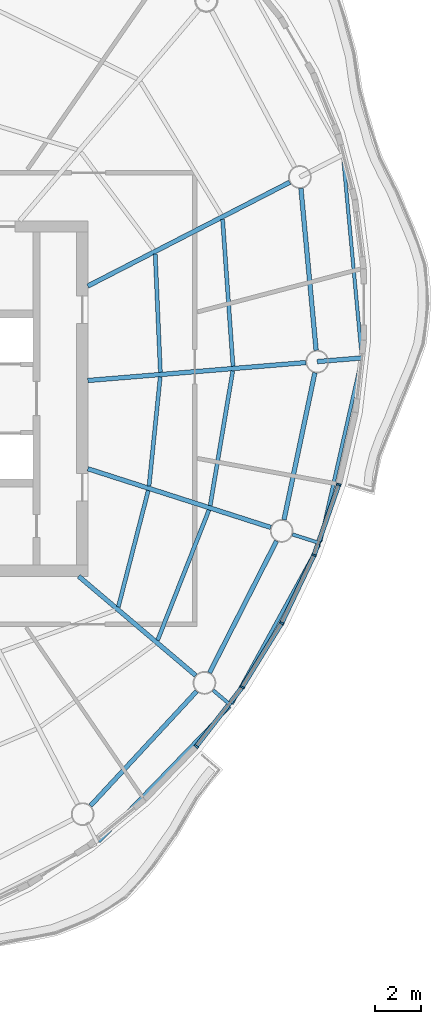
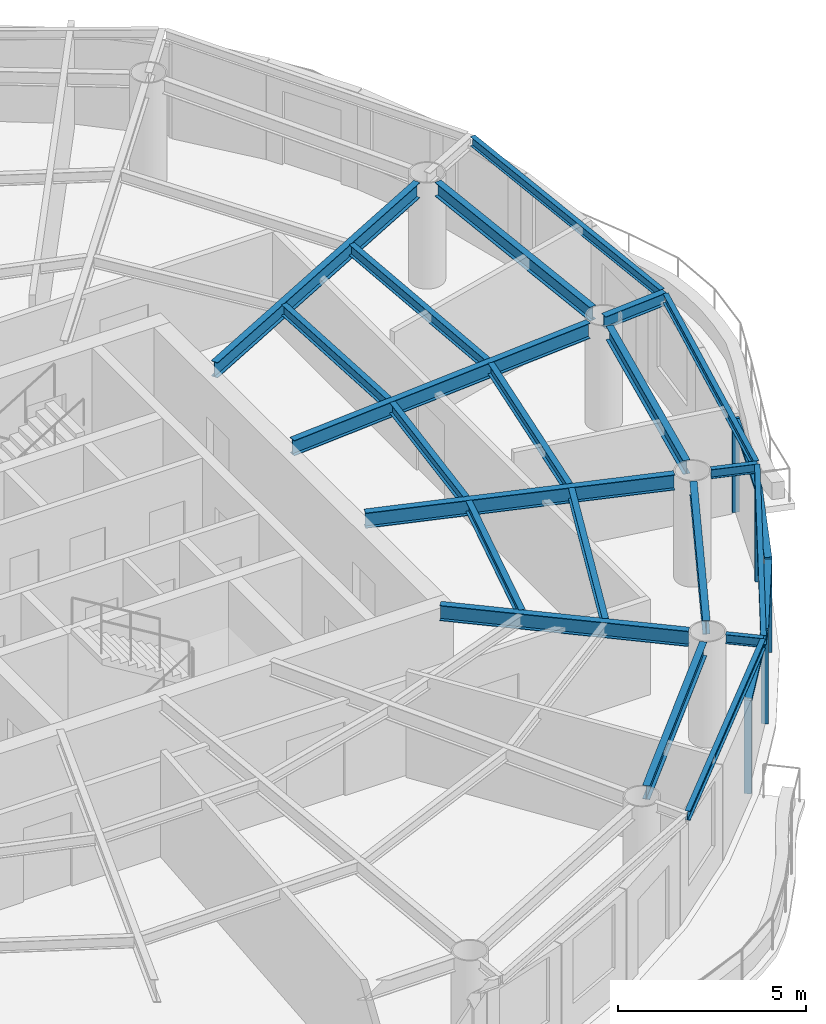
# One storey, part 4 of 13: 21 beams, 9 members, 4 elements without a shape of their own.
"""IFC4 building model written with IfcOpenShell, lengths in metres."""

import ifcopenshell
import ifcopenshell.guid

model = None  # the IFC model being written
_history = None  # IfcOwnerHistory: only IFC2X3 demands one
_inside = {}  # id of a spatial element -> (the spatial element, [elements in it])
_under = {}  # id of a project, library or spatial element -> (it, [spatial elements below it])
_declared = {}  # id of a project -> (the project, [libraries it declares])
_typed = {}  # id of a type object -> (the type object, [elements of that type])
_made_of = {}  # id of a material, layer set ... -> (it, [elements and type objects made of it])


def new_model(schema):
    """Start an empty IFC model of exactly this schema.

    Asked for "IFC4X3", IfcOpenShell would pick the latest addendum, in which some entities
    have other attributes; the version numbers below select the first issue.
    IFC2X3 requires an IfcOwnerHistory on every rooted entity: one is made here for all.
    """
    global model, _history
    if schema == "IFC4X3":
        model = ifcopenshell.file(schema_version=(4, 3, 0, 0))
    else:
        model = ifcopenshell.file(schema=schema)
    _inside.clear()
    _under.clear()
    _declared.clear()
    _typed.clear()
    _made_of.clear()
    _history = None
    if model.schema == "IFC2X3":
        org = make("IfcOrganization", Name="unknown")
        user = make(
            "IfcPersonAndOrganization",
            ThePerson=make("IfcPerson", FamilyName="unknown"),
            TheOrganization=org,
        )
        app = make(
            "IfcApplication",
            ApplicationDeveloper=org,
            Version="unknown",
            ApplicationFullName="unknown",
            ApplicationIdentifier="unknown",
        )
        _history = make(
            "IfcOwnerHistory",
            OwningUser=user,
            OwningApplication=app,
            ChangeAction="ADDED",
            CreationDate=0,
        )
    return model


def make(cls, **values):
    """One entity of the class cls with the attributes given. An attribute that is None is left unset."""
    return model.create_entity(
        cls, **{name: value for name, value in values.items() if value is not None}
    )


def rooted(cls, **values):
    """An entity with a GlobalId (a new one), such as an element, a storey or a relation."""
    return make(cls, GlobalId=ifcopenshell.guid.new(), OwnerHistory=_history, **values)


def si_unit(unit_type, name, prefix=None):
    """IfcSIUnit, for example si_unit("LENGTHUNIT", "METRE", prefix="MILLI")."""
    return make("IfcSIUnit", UnitType=unit_type, Prefix=prefix, Name=name)


def assignment(units):
    """IfcUnitAssignment: the units of a project."""
    return None if units is None else make("IfcUnitAssignment", Units=units)


def point(xyz):
    """IfcCartesianPoint."""
    return None if xyz is None else make("IfcCartesianPoint", Coordinates=xyz)


def direction(xyz):
    """IfcDirection."""
    return None if xyz is None else make("IfcDirection", DirectionRatios=xyz)


def frame(location, z_axis=None, x_axis=None):
    """IfcAxis2Placement3D, a coordinate frame: its origin and axes. An axis left out is left unset."""
    return make(
        "IfcAxis2Placement3D",
        Location=point(location),
        Axis=direction(z_axis),
        RefDirection=direction(x_axis),
    )


def frame_2d(location, x_axis=None):
    """IfcAxis2Placement2D, a coordinate frame in the plane: its origin and x axis."""
    return make(
        "IfcAxis2Placement2D", Location=point(location), RefDirection=direction(x_axis)
    )


def origin():
    """The frame at (0, 0, 0) with its axes left unset."""
    return frame((0.0, 0.0, 0.0))


def origin_2d():
    """The frame at (0, 0) in the plane with its x axis left unset."""
    return frame_2d((0.0, 0.0))


def place(relative_to, where):
    """IfcLocalPlacement: puts the frame where relative to a parent placement (None: the world)."""
    return make(
        "IfcLocalPlacement", PlacementRelTo=relative_to, RelativePlacement=where
    )


def context(
    kind, dimensions, precision=None, world=None, true_north=None, identifier=None
):
    """IfcGeometricRepresentationContext, for example the 3D "Model" context."""
    return make(
        "IfcGeometricRepresentationContext",
        ContextIdentifier=identifier,
        ContextType=kind,
        CoordinateSpaceDimension=dimensions,
        Precision=precision,
        WorldCoordinateSystem=world,
        TrueNorth=true_north,
    )


def subcontext(parent, identifier, kind, view, scale=None):
    """IfcGeometricRepresentationSubContext, for example "Body" below "Model"."""
    return make(
        "IfcGeometricRepresentationSubContext",
        ContextIdentifier=identifier,
        ContextType=kind,
        ParentContext=parent,
        TargetScale=scale,
        TargetView=view,
    )


def project(units=None, contexts=None):
    """IfcProject with its units and contexts."""
    return rooted(
        "IfcProject",
        Name="project",
        RepresentationContexts=contexts,
        UnitsInContext=assignment(units),
    )


def spatial(cls, under=None, at=None, **own):
    """A site, building, storey or space (cls), placed at a placement, below another one or the project."""
    s = rooted(cls, ObjectPlacement=at, **own)
    if under is not None:
        _under.setdefault(under.id(), (under, []))[1].append(s)
    return s


def profile(cls, at=None, kind="AREA", **sizes):
    """A parametric profile (cls). Its sizes go by their IFC names, for example OverallWidth=200.0."""
    return make(cls, ProfileType=kind, Position=at, **sizes)


def rectangle(**sizes):
    """IfcRectangleProfileDef."""
    return profile("IfcRectangleProfileDef", **sizes)


def i_section(**sizes):
    """IfcIShapeProfileDef."""
    return profile("IfcIShapeProfileDef", **sizes)


def extrude(swept, where, along, depth):
    """IfcExtrudedAreaSolid: the profile swept, set in the frame where, extruded along a direction by depth."""
    return make(
        "IfcExtrudedAreaSolid",
        SweptArea=swept,
        Position=where,
        ExtrudedDirection=direction(along),
        Depth=depth,
    )


def shape(context_of_items, identifier, shape_type, items):
    """IfcShapeRepresentation: the items that make up one representation, for example the "Body"."""
    return make(
        "IfcShapeRepresentation",
        ContextOfItems=context_of_items,
        RepresentationIdentifier=identifier,
        RepresentationType=shape_type,
        Items=items,
    )


def material(Name=None, Category=None):
    """IfcMaterial."""
    return make("IfcMaterial", Name=Name, Category=Category)


def material_profile(
    of_material, cross_section, Name=None, Category=None, Priority=None
):
    """IfcMaterialProfile: a cross section and its material."""
    return make(
        "IfcMaterialProfile",
        Name=Name,
        Material=of_material,
        Profile=cross_section,
        Priority=Priority,
        Category=Category,
    )


def profile_set(profiles, Name=None, composite=None):
    """IfcMaterialProfileSet."""
    return make(
        "IfcMaterialProfileSet",
        Name=Name,
        MaterialProfiles=profiles,
        CompositeProfile=composite,
    )


def made_of(thing, what):
    """Note that an element or type object is made of a material, layer set ...; save() writes the relation."""
    if what is not None:
        _made_of.setdefault(what.id(), (what, []))[1].append(thing)
    return thing


def type_object(cls, material=None, **own):
    """A type object (cls), such as IfcWallType, which elements share."""
    return made_of(rooted(cls, **own), material)


def element(
    cls,
    number,
    at=None,
    inside=None,
    cuts=None,
    type_object=None,
    material=None,
    context=None,
    identifier="Body",
    shape_type=None,
    held_by="IfcProductDefinitionShape",
    body=None,
    shapes=None,
    **own,
):
    """One element of the class cls, such as IfcWall. Its Tag is "e" and its number.

    at: its placement. inside: the storey or other place that contains it. cuts: it is an
    opening in that element (IfcRelVoidsElement). A single representation is given by context,
    identifier, shape_type and body (its items); several are given by shapes. held_by: the class
    of the entity that holds the representations. save() writes the other relations.
    """
    e = rooted(cls, Tag="e%d" % number, ObjectPlacement=at, **own)
    if body is not None:
        shapes = [shape(context, identifier, shape_type, body)]
    if shapes is not None:
        e.Representation = make(held_by, Representations=shapes)
    if inside is not None:
        _inside.setdefault(inside.id(), (inside, []))[1].append(e)
    if cuts is not None:
        rooted(
            "IfcRelVoidsElement", RelatingBuildingElement=cuts, RelatedOpeningElement=e
        )
    if type_object is not None:
        _typed.setdefault(type_object.id(), (type_object, []))[1].append(e)
    return made_of(e, material)


def aggregate(whole, parts):
    """IfcRelAggregates: a whole, such as a stair, and the parts it consists of."""
    return rooted("IfcRelAggregates", RelatingObject=whole, RelatedObjects=parts)


def save(model, path):
    """Write the relations noted so far, then the file.

    IfcRelAggregates (storeys below a building ...), IfcRelContainedInSpatialStructure (elements
    in a storey), IfcRelDefinesByType, IfcRelAssociatesMaterial and IfcRelDeclares: one each for
    every whole, place, type object, material and project.
    """
    for whole, parts in _under.values():
        aggregate(whole, parts)
    for where, things in _inside.values():
        rooted(
            "IfcRelContainedInSpatialStructure",
            RelatedElements=things,
            RelatingStructure=where,
        )
    for kind, things in _typed.values():
        rooted("IfcRelDefinesByType", RelatedObjects=things, RelatingType=kind)
    for what, things in _made_of.values():
        rooted("IfcRelAssociatesMaterial", RelatedObjects=things, RelatingMaterial=what)
    for by, libraries in _declared.values():
        rooted("IfcRelDeclares", RelatingContext=by, RelatedDefinitions=libraries)
    model.write(path)


model = new_model("IFC4")

# Units and contexts
model_context = context("Model", 3, precision=1e-05, world=origin(), true_north=direction((0.0, 1.0)))
body_context = subcontext(model_context, "Body", "Model", "MODEL_VIEW")
ifc_project = project(units=[si_unit("LENGTHUNIT", "METRE"), si_unit("AREAUNIT", "SQUARE_METRE"), si_unit("VOLUMEUNIT", "CUBIC_METRE"), si_unit("PLANEANGLEUNIT", "RADIAN"), si_unit("MASSUNIT", "GRAM", prefix="KILO")], contexts=[model_context])

# Site, building, storey
site_placement = place(None, origin())
site = spatial("IfcSite", under=ifc_project, at=site_placement, CompositionType="ELEMENT")
building_placement = place(site_placement, origin())
building = spatial("IfcBuilding", under=site, at=building_placement, Name="Vermilion Reach Broadcast Tower", CompositionType="ELEMENT")
storey_placement = place(building_placement, frame((0.0, 0.0, 279.300048828125)))
storey = spatial("IfcBuildingStorey", under=building, at=storey_placement, Name="L69", CompositionType="ELEMENT", Elevation=279.300048828125)

# Beams
ifc_material_1 = material(Name="Steel S355J2", Category="steel")
ifc_material_profile_1 = material_profile(ifc_material_1, i_section(OverallWidth=0.14990234375, OverallDepth=0.300048828125, WebThickness=0.006591796875, FlangeThickness=0.009033203125, at=origin_2d()), Name="S355J2 HN 300x150x6.5x9")
ifc_profile_set_1 = profile_set([ifc_material_profile_1], Name="Steel S355J2")
beam_type_1 = type_object("IfcBeamType", Name="EB5 HN 300x150x6.5x9", PredefinedType="BEAM", material=ifc_profile_set_1)
beam_1_placement = place(storey_placement, frame((4.081787109375, -19.444580078125, 3.300048828125), z_axis=(0.695900090225, 0.718138610872, 0.0), x_axis=(-0.718138610872, 0.695900090225, 0.0)))
element("IfcBeam", 1, at=beam_1_placement, inside=storey, type_object=beam_type_1, Name="Edge beam EB5-11", PredefinedType="BEAM", context=body_context, shape_type="SweptSolid", body=[
    extrude(i_section(OverallWidth=0.14990234375, OverallDepth=0.300048828125, WebThickness=0.006591796875, FlangeThickness=0.009033203125, at=origin_2d()), origin(), (0.0, 0.0, 1.0), 8.255615234375),
])
beam_2_placement = place(storey_placement, frame((9.916259765625, -13.394775390625, 3.300048828125), z_axis=(0.481560900409, 0.87641263067, 0.0), x_axis=(-0.87641263067, 0.481560900409, 0.0)))
element("IfcBeam", 2, at=beam_2_placement, inside=storey, type_object=beam_type_1, Name="Edge beam EB5-12", PredefinedType="BEAM", context=body_context, shape_type="SweptSolid", body=[
    extrude(i_section(OverallWidth=0.14990234375, OverallDepth=0.300048828125, WebThickness=0.006591796875, FlangeThickness=0.009033203125, at=origin_2d()), origin(), (0.0, 0.0, 1.0), 7.962646484375),
])
beam_3_placement = place(storey_placement, frame((13.80419921875, -6.27587890625, 3.300048828125), z_axis=(0.220627416906, 0.975358161349, 0.0), x_axis=(-0.975358161349, 0.220627416906, 0.0)))
element("IfcBeam", 3, at=beam_3_placement, inside=storey, type_object=beam_type_1, Name="Edge beam EB5-13", PredefinedType="BEAM", context=body_context, shape_type="SweptSolid", body=[
    extrude(i_section(OverallWidth=0.14990234375, OverallDepth=0.300048828125, WebThickness=0.006591796875, FlangeThickness=0.009033203125, at=origin_2d()), origin(), (0.0, 0.0, 1.0), 8.156494140625),
])
beam_4_placement = place(storey_placement, frame((15.61767578125, 1.88134765625, 3.300048828125), z_axis=(-0.092806887756, 0.995684127414, 0.0), x_axis=(-0.995684127414, -0.092806887756, 0.0)))
element("IfcBeam", 4, at=beam_4_placement, inside=storey, type_object=beam_type_1, Name="Edge beam EB5-14", PredefinedType="BEAM", context=body_context, shape_type="SweptSolid", body=[
    extrude(i_section(OverallWidth=0.14990234375, OverallDepth=0.300048828125, WebThickness=0.006591796875, FlangeThickness=0.009033203125, at=origin_2d()), origin(), (0.0, 0.0, 1.0), 8.74169921875),
])
ifc_material_2 = material(Name="Steel S355J2", Category="steel")
ifc_material_profile_2 = material_profile(ifc_material_2, i_section(OverallWidth=0.199951171875, OverallDepth=0.5, WebThickness=0.010009765625, FlangeThickness=0.01611328125, at=origin_2d()), Name="S355J2 HN 500x200x10x16")
ifc_profile_set_2 = profile_set([ifc_material_profile_2], Name="Steel S355J2")
beam_type_2 = type_object("IfcBeamType", Name="G5 HN 500x200x10x16", PredefinedType="BEAM", material=ifc_profile_set_2)
beam_5_placement = place(storey_placement, frame((3.20068359375, -7.800048828125, 3.199951171875), z_axis=(0.762793125612, -0.646642596431, 0.0), x_axis=(0.646642596431, 0.762793125612, 0.0)))
element("IfcBeam", 5, at=beam_5_placement, inside=storey, type_object=beam_type_2, Name="Girder G5-12", PredefinedType="BEAM", context=body_context, shape_type="SweptSolid", body=[
    extrude(i_section(OverallWidth=0.199951171875, OverallDepth=0.5, WebThickness=0.010009765625, FlangeThickness=0.01611328125, at=origin_2d()), origin(), (0.0, 0.0, 1.0), 6.732421875),
])
beam_6_placement = place(storey_placement, frame((3.60009765625, -3.080322265625, 3.199951171875), z_axis=(0.952178453449, -0.305542456604, 0.0), x_axis=(0.305542456604, 0.952178453449, 0.0)))
element("IfcBeam", 6, at=beam_6_placement, inside=storey, type_object=beam_type_2, Name="Girder G5-13", PredefinedType="BEAM", context=body_context, shape_type="SweptSolid", body=[
    extrude(i_section(OverallWidth=0.199951171875, OverallDepth=0.5, WebThickness=0.010009765625, FlangeThickness=0.01611328125, at=origin_2d()), origin(), (0.0, 0.0, 1.0), 8.43310546875),
])
beam_7_placement = place(storey_placement, frame((3.60009765625, 0.791015625, 3.199951171875), z_axis=(0.996624410075, 0.082096195058, 0.0), x_axis=(-0.082096195058, 0.996624410075, 0.0)))
element("IfcBeam", 7, at=beam_7_placement, inside=storey, type_object=beam_type_2, Name="Girder G5-14", PredefinedType="BEAM", context=body_context, shape_type="SweptSolid", body=[
    extrude(i_section(OverallWidth=0.199951171875, OverallDepth=0.5, WebThickness=0.010009765625, FlangeThickness=0.01611328125, at=origin_2d()), origin(), (0.0, 0.0, 1.0), 9.599609375),
])
beam_8_placement = place(storey_placement, frame((3.60009765625, 4.935791015625, 3.199951171875), z_axis=(0.889332502449, 0.457261085254, 0.0), x_axis=(-0.457261085254, 0.889332502449, 0.0)))
element("IfcBeam", 8, at=beam_8_placement, inside=storey, type_object=beam_type_2, Name="Girder G5-15", PredefinedType="BEAM", context=body_context, shape_type="SweptSolid", body=[
    extrude(i_section(OverallWidth=0.199951171875, OverallDepth=0.5, WebThickness=0.010009765625, FlangeThickness=0.01611328125, at=origin_2d()), origin(), (0.0, 0.0, 1.0), 9.96337890625),
])
ifc_material_3 = material(Name="Steel S355J2", Category="steel")
ifc_material_profile_3 = material_profile(ifc_material_3, i_section(OverallWidth=0.199951171875, OverallDepth=0.39990234375, WebThickness=0.008056640625, FlangeThickness=0.012939453125, at=origin_2d()), Name="S355J2 HN 400x200x8x13")
ifc_profile_set_3 = profile_set([ifc_material_profile_3], Name="Steel S355J2")
beam_type_3 = type_object("IfcBeamType", Name="GC5 HN 400x200x8x13", PredefinedType="BEAM", material=ifc_profile_set_3)
beam_9_placement = place(storey_placement, frame((13.665771484375, 1.620361328125, 3.25), z_axis=(0.996631637871, 0.082008404411, 0.0), x_axis=(-0.082008404411, 0.996631637871, 0.0)))
element("IfcBeam", 9, at=beam_9_placement, inside=storey, type_object=beam_type_3, Name="Cantilever girder GC5-14", PredefinedType="BEAM", context=body_context, shape_type="SweptSolid", body=[
    extrude(i_section(OverallWidth=0.199951171875, OverallDepth=0.39990234375, WebThickness=0.008056640625, FlangeThickness=0.012939453125, at=origin_2d()), origin(), (0.0, 0.0, 1.0), 1.9677734375),
])
ifc_material_4 = material(Name="Steel S355J2", Category="steel")
ifc_material_profile_4 = material_profile(ifc_material_4, i_section(OverallWidth=0.14990234375, OverallDepth=0.300048828125, WebThickness=0.006591796875, FlangeThickness=0.009033203125, at=origin_2d()), Name="S355J2 HN 300x150x6.5x9")
ifc_profile_set_4 = profile_set([ifc_material_profile_4], Name="Steel S355J2")
beam_type_4 = type_object("IfcBeamType", Name="GS5 HN 300x150x6.5x9", PredefinedType="BEAM", material=ifc_profile_set_4)
beam_10_placement = place(storey_placement, frame((9.098876953125, -12.80029296875, 3.300048828125), z_axis=(0.762815807561, -0.646615839378, 0.0), x_axis=(0.646615839378, 0.762815807561, 0.0)))
element("IfcBeam", 10, at=beam_10_placement, inside=storey, type_object=beam_type_4, Name="Cantilever stub GS5-12", PredefinedType="BEAM", context=body_context, shape_type="SweptSolid", body=[
    extrude(i_section(OverallWidth=0.14990234375, OverallDepth=0.300048828125, WebThickness=0.006591796875, FlangeThickness=0.009033203125, at=origin_2d()), origin(), (0.0, 0.0, 1.0), 1.023193359375),
])
beam_11_placement = place(storey_placement, frame((12.58203125, -5.96240234375, 3.300048828125), z_axis=(0.952152869261, -0.30562217452, 0.0), x_axis=(0.30562217452, 0.952152869261, 0.0)))
element("IfcBeam", 11, at=beam_11_placement, inside=storey, type_object=beam_type_4, Name="Cantilever stub GS5-13", PredefinedType="BEAM", context=body_context, shape_type="SweptSolid", body=[
    extrude(i_section(OverallWidth=0.14990234375, OverallDepth=0.300048828125, WebThickness=0.006591796875, FlangeThickness=0.009033203125, at=origin_2d()), origin(), (0.0, 0.0, 1.0), 1.26611328125),
])
ifc_material_5 = material(Name="Steel S355J2", Category="steel")
ifc_material_profile_5 = material_profile(ifc_material_5, i_section(OverallWidth=0.199951171875, OverallDepth=0.449951171875, WebThickness=0.009033203125, FlangeThickness=0.013916015625, at=origin_2d()), Name="S355J2 HN 450x200x9x14")
ifc_profile_set_5 = profile_set([ifc_material_profile_5], Name="Steel S355J2")
beam_type_5 = type_object("IfcBeamType", Name="RB5 HN 450x200x9x14", PredefinedType="BEAM", material=ifc_profile_set_5)
beam_12_placement = place(storey_placement, frame((3.716796875, -17.87109375, 3.224853515625), z_axis=(0.679837550075, 0.733362738014, 0.0), x_axis=(-0.733362738014, 0.679837550075, 0.0)))
element("IfcBeam", 12, at=beam_12_placement, inside=storey, type_object=beam_type_5, Name="Ring beam RB5-11", PredefinedType="BEAM", context=body_context, shape_type="SweptSolid", body=[
    extrude(i_section(OverallWidth=0.199951171875, OverallDepth=0.449951171875, WebThickness=0.009033203125, FlangeThickness=0.013916015625, at=origin_2d()), origin(), (0.0, 0.0, 1.0), 6.85546875),
])
beam_13_placement = place(storey_placement, frame((8.944091796875, -12.03125, 3.224853515625), z_axis=(0.453052302855, 0.891483937532, 0.0), x_axis=(-0.891483937532, 0.453052302855, 0.0)))
element("IfcBeam", 13, at=beam_13_placement, inside=storey, type_object=beam_type_5, Name="Ring beam RB5-12", PredefinedType="BEAM", context=body_context, shape_type="SweptSolid", body=[
    extrude(i_section(OverallWidth=0.199951171875, OverallDepth=0.449951171875, WebThickness=0.009033203125, FlangeThickness=0.013916015625, at=origin_2d()), origin(), (0.0, 0.0, 1.0), 6.47900390625),
])
beam_14_placement = place(storey_placement, frame((12.208740234375, -5.3203125, 3.224853515625), z_axis=(0.205444869285, 0.978668690459, 0.0), x_axis=(-0.978668690459, 0.205444869285, 0.0)))
element("IfcBeam", 14, at=beam_14_placement, inside=storey, type_object=beam_type_5, Name="Ring beam RB5-13", PredefinedType="BEAM", context=body_context, shape_type="SweptSolid", body=[
    extrude(i_section(OverallWidth=0.199951171875, OverallDepth=0.449951171875, WebThickness=0.009033203125, FlangeThickness=0.013916015625, at=origin_2d()), origin(), (0.0, 0.0, 1.0), 6.591796875),
])
beam_15_placement = place(storey_placement, frame((13.618896484375, 2.1181640625, 3.224853515625), z_axis=(-0.093441399272, 0.995624781181, 0.0), x_axis=(-0.995624781181, -0.093441399272, 0.0)))
element("IfcBeam", 15, at=beam_15_placement, inside=storey, type_object=beam_type_5, Name="Ring beam RB5-14", PredefinedType="BEAM", context=body_context, shape_type="SweptSolid", body=[
    extrude(i_section(OverallWidth=0.199951171875, OverallDepth=0.449951171875, WebThickness=0.009033203125, FlangeThickness=0.013916015625, at=origin_2d()), origin(), (0.0, 0.0, 1.0), 7.135498046875),
])
ifc_material_6 = material(Name="Steel S355J2", Category="steel")
ifc_material_profile_6 = material_profile(ifc_material_6, i_section(OverallWidth=0.175048828125, OverallDepth=0.35009765625, WebThickness=0.007080078125, FlangeThickness=0.010986328125, at=origin_2d()), Name="S355J2 HN 350x175x7x11")
ifc_profile_set_6 = profile_set([ifc_material_profile_6], Name="Steel S355J2")
beam_type_6 = type_object("IfcBeamType", Name="SB5 HN 350x175x7x11", PredefinedType="BEAM", material=ifc_profile_set_6)
beam_16_placement = place(storey_placement, frame((4.940185546875, -9.1435546875, 3.27490234375), z_axis=(0.248729575729, 0.968572969971, 0.0), x_axis=(-0.968572969971, 0.248729575729, 0.0)))
element("IfcBeam", 16, at=beam_16_placement, inside=storey, type_object=beam_type_6, Name="Secondary beam SB5-12-1", PredefinedType="BEAM", context=body_context, shape_type="SweptSolid", body=[
    extrude(i_section(OverallWidth=0.175048828125, OverallDepth=0.35009765625, WebThickness=0.007080078125, FlangeThickness=0.010986328125, at=origin_2d()), origin(), (0.0, 0.0, 1.0), 5.27294921875),
])
beam_17_placement = place(storey_placement, frame((6.6630859375, -10.604248046875, 3.27490234375), z_axis=(0.366931189603, 0.930248086317, 0.0), x_axis=(-0.930248086317, 0.366931189603, 0.0)))
element("IfcBeam", 17, at=beam_17_placement, inside=storey, type_object=beam_type_6, Name="Secondary beam SB5-12-2", PredefinedType="BEAM", context=body_context, shape_type="SweptSolid", body=[
    extrude(i_section(OverallWidth=0.175048828125, OverallDepth=0.35009765625, WebThickness=0.007080078125, FlangeThickness=0.010986328125, at=origin_2d()), origin(), (0.0, 0.0, 1.0), 6.141357421875),
])
beam_18_placement = place(storey_placement, frame((6.287109375, -3.837646484375, 3.27490234375), z_axis=(0.102113775264, 0.994772726255, 0.0), x_axis=(-0.994772726255, 0.102113775264, 0.0)))
element("IfcBeam", 18, at=beam_18_placement, inside=storey, type_object=beam_type_6, Name="Secondary beam SB5-13-1", PredefinedType="BEAM", context=body_context, shape_type="SweptSolid", body=[
    extrude(i_section(OverallWidth=0.175048828125, OverallDepth=0.35009765625, WebThickness=0.007080078125, FlangeThickness=0.010986328125, at=origin_2d()), origin(), (0.0, 0.0, 1.0), 4.815185546875),
])
beam_19_placement = place(storey_placement, frame((8.969970703125, -4.698486328125, 3.27490234375), z_axis=(0.16532337011, 0.986239414795, 0.0), x_axis=(-0.986239414795, 0.16532337011, 0.0)))
element("IfcBeam", 19, at=beam_19_placement, inside=storey, type_object=beam_type_6, Name="Secondary beam SB5-13-2", PredefinedType="BEAM", context=body_context, shape_type="SweptSolid", body=[
    extrude(i_section(OverallWidth=0.175048828125, OverallDepth=0.35009765625, WebThickness=0.007080078125, FlangeThickness=0.010986328125, at=origin_2d()), origin(), (0.0, 0.0, 1.0), 5.99560546875),
])
beam_20_placement = place(storey_placement, frame((6.78466796875, 1.153564453125, 3.27490234375), z_axis=(-0.043557530017, 0.999050920413, 0.0), x_axis=(-0.999050920413, -0.043557530017, 0.0)))
element("IfcBeam", 20, at=beam_20_placement, inside=storey, type_object=beam_type_6, Name="Secondary beam SB5-14-1", PredefinedType="BEAM", context=body_context, shape_type="SweptSolid", body=[
    extrude(i_section(OverallWidth=0.175048828125, OverallDepth=0.35009765625, WebThickness=0.007080078125, FlangeThickness=0.010986328125, at=origin_2d()), origin(), (0.0, 0.0, 1.0), 5.19580078125),
])
beam_21_placement = place(storey_placement, frame((9.97119140625, 1.416259765625, 3.27490234375), z_axis=(-0.070586780458, 0.997505642302, 0.0), x_axis=(-0.997505642302, -0.070586780458, 0.0)))
element("IfcBeam", 21, at=beam_21_placement, inside=storey, type_object=beam_type_6, Name="Secondary beam SB5-14-2", PredefinedType="BEAM", context=body_context, shape_type="SweptSolid", body=[
    extrude(i_section(OverallWidth=0.175048828125, OverallDepth=0.35009765625, WebThickness=0.007080078125, FlangeThickness=0.010986328125, at=origin_2d()), origin(), (0.0, 0.0, 1.0), 6.46435546875),
])

# Curtain wall, member
ifc_material_7 = material(Name="Low-e laminated clear glass in aluminium frame", Category="aluminium")
curtain_wall_type = type_object("IfcCurtainWallType", Name="Slot curtain wall", PredefinedType="NOTDEFINED", material=ifc_material_7)
placement = place(storey_placement, origin())
curtain_wall_1 = element("IfcCurtainWall", 22, at=placement, inside=storey, type_object=curtain_wall_type, Name="Slot curtain wall L69 34", PredefinedType="NOTDEFINED")
ifc_material_8 = material(Name="Anodised aluminium", Category="aluminium")
ifc_material_profile_7 = material_profile(ifc_material_8, rectangle(XDim=0.199951171875, YDim=0.080078125, at=origin_2d()), Name="Slot mullion 80 x 200")
ifc_profile_set_7 = profile_set([ifc_material_profile_7], Name="Anodised aluminium")
member_type_1 = type_object("IfcMemberType", Name="Slot mullion 80 x 200", PredefinedType="MULLION", material=ifc_profile_set_7)
member_1_placement = place(storey_placement, frame((8.358154296875, -15.262451171875, 0.0), z_axis=(0.0, 0.0, 1.0), x_axis=(-0.755156185837, 0.65554491455, 0.0)))
member_1 = element("IfcMember", 23, at=member_1_placement, type_object=member_type_1, Name="Slot mullion L69 34", PredefinedType="MULLION", context=body_context, shape_type="SweptSolid", body=[
    extrude(rectangle(XDim=0.199951171875, YDim=0.080078125, at=origin_2d()), origin(), (0.0, 0.0, 1.0), 3.050048828125),
])

curtain_wall_2 = element("IfcCurtainWall", 24, at=placement, inside=storey, type_object=curtain_wall_type, Name="Slot curtain wall L69 35", PredefinedType="NOTDEFINED")
member_2_placement = place(storey_placement, frame((10.3720703125, -12.667724609375, 0.0), z_axis=(0.0, 0.0, 1.0), x_axis=(-0.821886411904, 0.569651407377, 0.0)))
member_2 = element("IfcMember", 25, at=member_2_placement, type_object=member_type_1, Name="Slot mullion L69 35", PredefinedType="MULLION", context=body_context, shape_type="SweptSolid", body=[
    extrude(rectangle(XDim=0.199951171875, YDim=0.080078125, at=origin_2d()), origin(), (0.0, 0.0, 1.0), 3.050048828125),
])

curtain_wall_3 = element("IfcCurtainWall", 26, at=placement, inside=storey, type_object=curtain_wall_type, Name="Slot curtain wall L69 36", PredefinedType="NOTDEFINED")
member_3_placement = place(storey_placement, frame((12.10498046875, -9.854736328125, 0.0), z_axis=(0.0, 0.0, 1.0), x_axis=(-0.878317007358, 0.478078690788, 0.0)))
member_3 = element("IfcMember", 27, at=member_3_placement, type_object=member_type_1, Name="Slot mullion L69 36", PredefinedType="MULLION", context=body_context, shape_type="SweptSolid", body=[
    extrude(rectangle(XDim=0.199951171875, YDim=0.080078125, at=origin_2d()), origin(), (0.0, 0.0, 1.0), 3.050048828125),
])

# Curtain wall, members
curtain_wall_4 = element("IfcCurtainWall", 28, at=placement, inside=storey, type_object=curtain_wall_type, Name="Slot curtain wall L69 37", PredefinedType="NOTDEFINED")
member_4_placement = place(storey_placement, frame((13.526611328125, -6.87255859375, 0.0), z_axis=(0.0, 0.0, 1.0), x_axis=(-0.92458540708, 0.380974835147, 0.0)))
member_4 = element("IfcMember", 29, at=member_4_placement, type_object=member_type_1, Name="Slot mullion L69 37", PredefinedType="MULLION", context=body_context, shape_type="SweptSolid", body=[
    extrude(rectangle(XDim=0.199951171875, YDim=0.080078125, at=origin_2d()), origin(), (0.0, 0.0, 1.0), 3.050048828125),
])
member_5_placement = place(storey_placement, frame((14.6123046875, -3.772216796875, 0.0), z_axis=(0.0, 0.0, 1.0), x_axis=(-0.960492983327, 0.278304202232, 0.0)))
member_5 = element("IfcMember", 30, at=member_5_placement, type_object=member_type_1, Name="Slot mullion L69 38", PredefinedType="MULLION", context=body_context, shape_type="SweptSolid", body=[
    extrude(rectangle(XDim=0.199951171875, YDim=0.080078125, at=origin_2d()), origin(), (0.0, 0.0, 1.0), 3.050048828125),
])

# Member
ifc_material_9 = material(Name="Anodised aluminium", Category="aluminium")
ifc_material_profile_8 = material_profile(ifc_material_9, rectangle(XDim=0.199951171875, YDim=0.10009765625, at=origin_2d()), Name="Slot transom 200 x 100")
ifc_profile_set_8 = profile_set([ifc_material_profile_8], Name="Anodised aluminium")
member_type_2 = type_object("IfcMemberType", Name="Slot transom 200 x 100", PredefinedType="USERDEFINED", material=ifc_profile_set_8)
member_6_placement = place(storey_placement, frame((8.382568359375, -15.23095703125, 3.0), z_axis=(0.613154506769, 0.789963005988, 0.0), x_axis=(-0.789963005988, 0.613154506769, 0.0)))
member_6 = element("IfcMember", 31, at=member_6_placement, type_object=member_type_2, Name="Slot transom L69 34.1", ObjectType="TRANSOM", PredefinedType="USERDEFINED", context=body_context, shape_type="SweptSolid", body=[
    extrude(rectangle(XDim=0.199951171875, YDim=0.10009765625, at=origin_2d()), origin(), (0.0, 0.0, 1.0), 3.204833984375),
])

aggregate(curtain_wall_1, [member_1, member_6])

member_7_placement = place(storey_placement, frame((10.39306640625, -12.633544921875, 3.0), z_axis=(0.524528355393, 0.851392978823, 0.0), x_axis=(-0.851392978823, 0.524528355393, 0.0)))
member_7 = element("IfcMember", 32, at=member_7_placement, type_object=member_type_2, Name="Slot transom L69 35.1", ObjectType="TRANSOM", PredefinedType="USERDEFINED", context=body_context, shape_type="SweptSolid", body=[
    extrude(rectangle(XDim=0.199951171875, YDim=0.10009765625, at=origin_2d()), origin(), (0.0, 0.0, 1.0), 3.2236328125),
])

aggregate(curtain_wall_2, [member_2, member_7])

member_8_placement = place(storey_placement, frame((12.1220703125, -9.818603515625, 3.0), z_axis=(0.430321590843, 0.902675649641, 0.0), x_axis=(-0.902675649641, 0.430321590843, 0.0)))
member_8 = element("IfcMember", 33, at=member_8_placement, type_object=member_type_2, Name="Slot transom L69 36.1", ObjectType="TRANSOM", PredefinedType="USERDEFINED", context=body_context, shape_type="SweptSolid", body=[
    extrude(rectangle(XDim=0.199951171875, YDim=0.10009765625, at=origin_2d()), origin(), (0.0, 0.0, 1.0), 3.2236328125),
])

aggregate(curtain_wall_3, [member_3, member_8])

member_9_placement = place(storey_placement, frame((13.539794921875, -6.834716796875, 3.0), z_axis=(0.330543836253, 0.943790640087, 0.0), x_axis=(-0.943790640087, 0.330543836253, 0.0)))
member_9 = element("IfcMember", 34, at=member_9_placement, type_object=member_type_2, Name="Slot transom L69 37.1", ObjectType="TRANSOM", PredefinedType="USERDEFINED", context=body_context, shape_type="SweptSolid", body=[
    extrude(rectangle(XDim=0.199951171875, YDim=0.10009765625, at=origin_2d()), origin(), (0.0, 0.0, 1.0), 3.204833984375),
])

aggregate(curtain_wall_4, [member_4, member_5, member_9])

save(model, "model.ifc")
